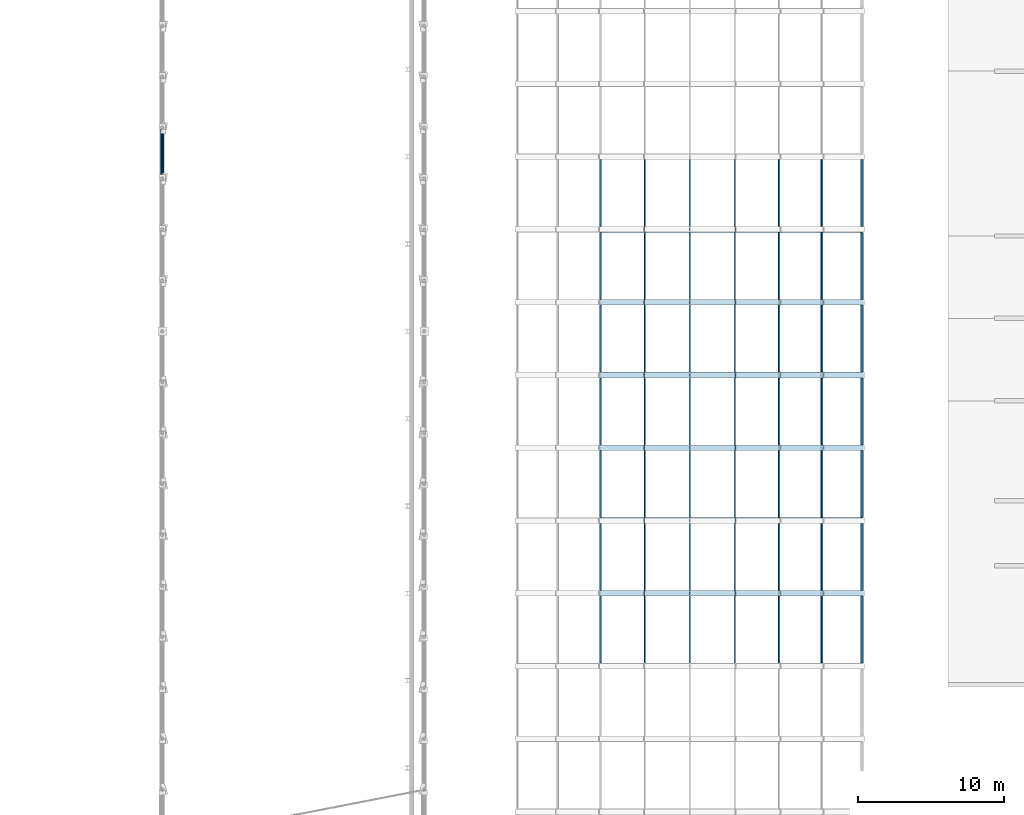
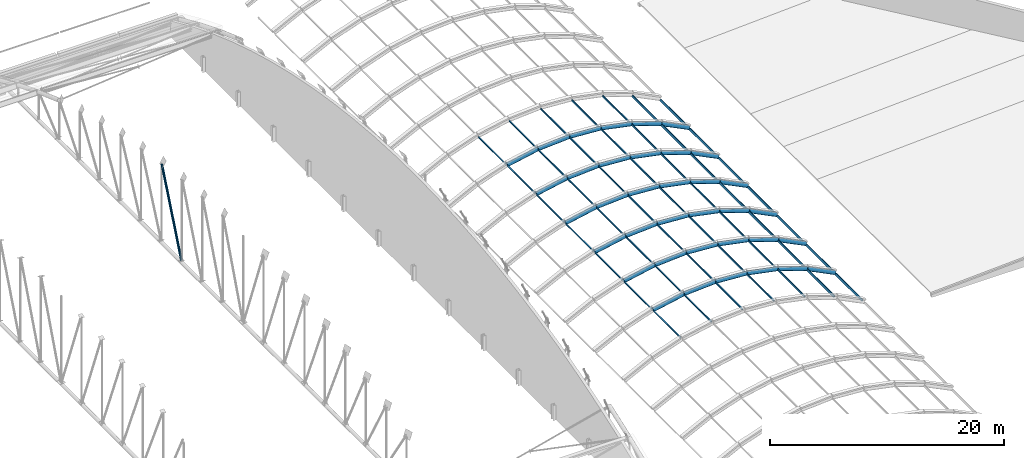
# One storey, part 86 of 196: 86 members.
"""IFC4 building model written with IfcOpenShell, lengths in metres."""

from ifc_helpers import new_model, si_unit, direction, frame, origin, origin_2d, place, context, subcontext, project, spatial, hollow_rectangle, hollow_circle, extrude, material, material_profile, profile_set, type_object, element, save


model = new_model("IFC4")

# Units and contexts
model_context = context("Model", 3, precision=1e-05, world=origin(), true_north=direction((0.0, 1.0)))
body_context = subcontext(model_context, "Body", "Model", "MODEL_VIEW")
ifc_project = project(units=[si_unit("LENGTHUNIT", "METRE"), si_unit("AREAUNIT", "SQUARE_METRE"), si_unit("VOLUMEUNIT", "CUBIC_METRE"), si_unit("PLANEANGLEUNIT", "RADIAN"), si_unit("MASSUNIT", "GRAM", prefix="KILO")], contexts=[model_context])

# Site, building, storey
site_placement = place(None, origin())
site = spatial("IfcSite", under=ifc_project, at=site_placement, CompositionType="ELEMENT")
building_placement = place(site_placement, origin())
building = spatial("IfcBuilding", under=site, at=building_placement, Name="Okhra Congress Centre", CompositionType="ELEMENT")
storey_placement = place(building_placement, frame((0.0, 0.0, 12.0)))
storey = spatial("IfcBuildingStorey", under=building, at=storey_placement, Name="L02", CompositionType="ELEMENT", Elevation=12.0)

# Members
ifc_material_1 = material(Name="Steel S355J2H", Category="steel")
ifc_material_profile_1 = material_profile(ifc_material_1, hollow_circle(Radius=0.109619140625, WallThickness=0.010009765625, at=origin_2d()), Name="CHS 219.1x10.0")
ifc_profile_set_1 = profile_set([ifc_material_profile_1], Name="Steel S355J2H")
member_type_1 = type_object("IfcMemberType", Name="CHS 219.1x10.0", PredefinedType="BRACE", material=ifc_profile_set_1)
member_placement = place(storey_placement, frame((136.0, 187.926513671875, 9.6240234375), z_axis=(0.0, -0.384613395842, -0.92307775173), x_axis=(1.0, 0.0, 0.0)))
element("IfcMember", 1, at=member_placement, inside=storey, type_object=member_type_1, Name="EH.MEM.L02.T7-DIA-15", PredefinedType="BRACE", context=body_context, shape_type="SweptSolid", body=[
    extrude(hollow_circle(Radius=0.109619140625, WallThickness=0.010009765625, at=origin_2d()), origin(), (0.0, 0.0, 1.0), 8.716552734375),
])
ifc_material_2 = material(Name="Steel S355J2", Category="steel")
ifc_material_profile_2 = material_profile(ifc_material_2, hollow_rectangle(XDim=0.10009765625, YDim=0.14990234375, WallThickness=0.00634765625, at=origin_2d()), Name="RHS 150x100x6.3")
ifc_profile_set_2 = profile_set([ifc_material_profile_2], Name="Steel S355J2")
member_type_2 = type_object("IfcMemberType", Name="Steel purlin RHS 150x100x6.3", PredefinedType="PURLIN", material=ifc_profile_set_2)
for number, where, z_axis, x_axis, name in (
    (2, (166.109619140625, 151.203125, 3.18505859375), (0.0, 1.0, 0.0), (-0.965379940391, 0.0, -0.260847792191), "Vault purlin 16.4"),
    (3, (169.15283203125, 151.203125, 3.79541015625), (0.0, 1.0, 0.0), (-0.991307202734, 0.0, -0.131567586459), "Vault purlin 16.5"),
    (4, (172.25, 151.203125, 4.0), (0.0, 1.0, 0.0), (-1.0, 0.0, 0.0), "Vault purlin 16.6"),
    (5, (175.34716796875, 151.203125, 3.79541015625), (0.0, 1.0, 0.0), (-0.991307202734, 0.0, 0.131567586459), "Vault purlin 16.7"),
    (6, (178.390380859375, 151.203125, 3.18505859375), (0.0, 1.0, 0.0), (-0.965379940391, 0.0, 0.260847792191), "Vault purlin 16.8"),
    (7, (166.109619140625, 156.203125, 3.18505859375), (0.0, 1.0, 0.0), (-0.965379940391, 0.0, -0.260847792191), "Vault purlin 17.4"),
    (8, (169.15283203125, 156.203125, 3.79541015625), (0.0, 1.0, 0.0), (-0.991307202734, 0.0, -0.131567586459), "Vault purlin 17.5"),
    (9, (172.25, 156.203125, 4.0), (0.0, 1.0, 0.0), (-1.0, 0.0, 0.0), "Vault purlin 17.6"),
    (10, (175.34716796875, 156.203125, 3.79541015625), (0.0, 1.0, 0.0), (-0.991307202734, 0.0, 0.131567586459), "Vault purlin 17.7"),
    (11, (178.390380859375, 156.203125, 3.18505859375), (0.0, 1.0, 0.0), (-0.965379940391, 0.0, 0.260847792191), "Vault purlin 17.8"),
    (12, (166.109619140625, 161.203125, 3.18505859375), (0.0, 1.0, 0.0), (-0.965379940391, 0.0, -0.260847792191), "Vault purlin 18.4"),
    (13, (169.15283203125, 161.203125, 3.79541015625), (0.0, 1.0, 0.0), (-0.991307202734, 0.0, -0.131567586459), "Vault purlin 18.5"),
    (14, (172.25, 161.203125, 4.0), (0.0, 1.0, 0.0), (-1.0, 0.0, 0.0), "Vault purlin 18.6"),
    (15, (175.34716796875, 161.203125, 3.79541015625), (0.0, 1.0, 0.0), (-0.991307202734, 0.0, 0.131567586459), "Vault purlin 18.7"),
    (16, (178.390380859375, 161.203125, 3.18505859375), (0.0, 1.0, 0.0), (-0.965379940391, 0.0, 0.260847792191), "Vault purlin 18.8"),
    (17, (166.109619140625, 166.203125, 3.18505859375), (0.0, 1.0, 0.0), (-0.965379940391, 0.0, -0.260847792191), "Vault purlin 19.4"),
    (18, (169.15283203125, 166.203125, 3.79541015625), (0.0, 1.0, 0.0), (-0.991307202734, 0.0, -0.131567586459), "Vault purlin 19.5"),
    (19, (172.25, 166.203125, 4.0), (0.0, 1.0, 0.0), (-1.0, 0.0, 0.0), "Vault purlin 19.6"),
    (20, (175.34716796875, 166.203125, 3.79541015625), (0.0, 1.0, 0.0), (-0.991307202734, 0.0, 0.131567586459), "Vault purlin 19.7"),
    (21, (178.390380859375, 166.203125, 3.18505859375), (0.0, 1.0, 0.0), (-0.965379940391, 0.0, 0.260847792191), "Vault purlin 19.8"),
    (22, (166.109619140625, 171.203125, 3.18505859375), (0.0, 1.0, 0.0), (-0.965379940391, 0.0, -0.260847792191), "Vault purlin 20.4"),
    (23, (169.15283203125, 171.203125, 3.79541015625), (0.0, 1.0, 0.0), (-0.991307202734, 0.0, -0.131567586459), "Vault purlin 20.5"),
    (24, (172.25, 171.203125, 4.0), (0.0, 1.0, 0.0), (-1.0, 0.0, 0.0), "Vault purlin 20.6"),
    (25, (175.34716796875, 171.203125, 3.79541015625), (0.0, 1.0, 0.0), (-0.991307202734, 0.0, 0.131567586459), "Vault purlin 20.7"),
    (26, (178.390380859375, 171.203125, 3.18505859375), (0.0, 1.0, 0.0), (-0.965379940391, 0.0, 0.260847792191), "Vault purlin 20.8"),
    (27, (166.109619140625, 176.203125, 3.18505859375), (0.0, 1.0, 0.0), (-0.965379940391, 0.0, -0.260847792191), "Vault purlin 21.4"),
    (28, (169.15283203125, 176.203125, 3.79541015625), (0.0, 1.0, 0.0), (-0.991307202734, 0.0, -0.131567586459), "Vault purlin 21.5"),
    (29, (172.25, 176.203125, 4.0), (0.0, 1.0, 0.0), (-1.0, 0.0, 0.0), "Vault purlin 21.6"),
    (30, (175.34716796875, 176.203125, 3.79541015625), (0.0, 1.0, 0.0), (-0.991307202734, 0.0, 0.131567586459), "Vault purlin 21.7"),
    (31, (178.390380859375, 176.203125, 3.18505859375), (0.0, 1.0, 0.0), (-0.965379940391, 0.0, 0.260847792191), "Vault purlin 21.8"),
    (32, (166.109619140625, 181.203125, 3.18505859375), (0.0, 1.0, 0.0), (-0.965379940391, 0.0, -0.260847792191), "Vault purlin 22.4"),
    (33, (169.15283203125, 181.203125, 3.79541015625), (0.0, 1.0, 0.0), (-0.991307202734, 0.0, -0.131567586459), "Vault purlin 22.5"),
    (34, (172.25, 181.203125, 4.0), (0.0, 1.0, 0.0), (-1.0, 0.0, 0.0), "Vault purlin 22.6"),
    (35, (175.34716796875, 181.203125, 3.79541015625), (0.0, 1.0, 0.0), (-0.991307202734, 0.0, 0.131567586459), "Vault purlin 22.7"),
    (36, (178.390380859375, 181.203125, 3.18505859375), (0.0, 1.0, 0.0), (-0.965379940391, 0.0, 0.260847792191), "Vault purlin 22.8"),
):
    element("IfcMember", number, at=place(storey_placement, frame(where, z_axis=z_axis, x_axis=x_axis)), inside=storey, type_object=member_type_2, Name=name, PredefinedType="PURLIN", context=body_context, shape_type="SweptSolid", body=[
        extrude(hollow_rectangle(XDim=0.10009765625, YDim=0.14990234375, WallThickness=0.00634765625, at=origin_2d()), origin(), (0.0, 0.0, 1.0), 4.59375),
    ])
ifc_material_profile_3 = material_profile(ifc_material_2, hollow_rectangle(XDim=0.10009765625, YDim=0.199951171875, WallThickness=0.008056640625, at=origin_2d()), Name="RHS 200x100x8")
ifc_profile_set_3 = profile_set([ifc_material_profile_3], Name="Steel S355J2")
member_type_3 = type_object("IfcMemberType", Name="Steel purlin RHS 200x100x8", PredefinedType="PURLIN", material=ifc_profile_set_3)
for number, where, z_axis, x_axis, name in (
    (37, (181.3173828125, 151.203125, 2.156494140625), (0.0, 1.0, 0.0), (-0.922668973833, 0.0, 0.38559300399), "Vault purlin 16.9"),
    (38, (184.093017578125, 151.203125, 0.77490234375), (0.0, 1.0, 0.0), (-0.86391685861, 0.0, 0.503634452167), "Vault purlin 16.10"),
    (39, (181.3173828125, 156.203125, 2.156494140625), (0.0, 1.0, 0.0), (-0.922668973833, 0.0, 0.38559300399), "Vault purlin 17.9"),
    (40, (184.093017578125, 156.203125, 0.77490234375), (0.0, 1.0, 0.0), (-0.86391685861, 0.0, 0.503634452167), "Vault purlin 17.10"),
    (41, (181.3173828125, 161.203125, 2.156494140625), (0.0, 1.0, 0.0), (-0.922668973833, 0.0, 0.38559300399), "Vault purlin 18.9"),
    (42, (184.093017578125, 161.203125, 0.77490234375), (0.0, 1.0, 0.0), (-0.86391685861, 0.0, 0.503634452167), "Vault purlin 18.10"),
    (43, (181.3173828125, 166.203125, 2.156494140625), (0.0, 1.0, 0.0), (-0.922668973833, 0.0, 0.38559300399), "Vault purlin 19.9"),
    (44, (184.093017578125, 166.203125, 0.77490234375), (0.0, 1.0, 0.0), (-0.86391685861, 0.0, 0.503634452167), "Vault purlin 19.10"),
    (45, (181.3173828125, 171.203125, 2.156494140625), (0.0, 1.0, 0.0), (-0.922668973833, 0.0, 0.38559300399), "Vault purlin 20.9"),
    (46, (184.093017578125, 171.203125, 0.77490234375), (0.0, 1.0, 0.0), (-0.86391685861, 0.0, 0.503634452167), "Vault purlin 20.10"),
    (47, (181.3173828125, 176.203125, 2.156494140625), (0.0, 1.0, 0.0), (-0.922668973833, 0.0, 0.38559300399), "Vault purlin 21.9"),
    (48, (184.093017578125, 176.203125, 0.77490234375), (0.0, 1.0, 0.0), (-0.86391685861, 0.0, 0.503634452167), "Vault purlin 21.10"),
    (49, (181.3173828125, 181.203125, 2.156494140625), (0.0, 1.0, 0.0), (-0.922668973833, 0.0, 0.38559300399), "Vault purlin 22.9"),
    (50, (184.093017578125, 181.203125, 0.77490234375), (0.0, 1.0, 0.0), (-0.86391685861, 0.0, 0.503634452167), "Vault purlin 22.10"),
):
    element("IfcMember", number, at=place(storey_placement, frame(where, z_axis=z_axis, x_axis=x_axis)), inside=storey, type_object=member_type_3, Name=name, PredefinedType="PURLIN", context=body_context, shape_type="SweptSolid", body=[
        extrude(hollow_rectangle(XDim=0.10009765625, YDim=0.199951171875, WallThickness=0.008056640625, at=origin_2d()), origin(), (0.0, 0.0, 1.0), 4.59375),
    ])
ifc_material_profile_4 = material_profile(ifc_material_2, hollow_circle(Radius=0.203125, WallThickness=0.01611328125, at=origin_2d()), Name="CHS 406.4x16")
ifc_profile_set_4 = profile_set([ifc_material_profile_4], Name="Steel S355J2")
member_type_4 = type_object("IfcMemberType", Name="Tubular steel arch rib CHS 406x16", PredefinedType="USERDEFINED", material=ifc_profile_set_4)
for number, where, z_axis, x_axis, name in (
    (51, (166.122802734375, 156.0, 3.187744140625), (0.980479837883, 0.0, 0.196619651879), (0.0, 1.0, 0.0), "Arch rib 17.5"),
    (52, (169.166259765625, 156.0, 3.796142578125), (0.997823956231, 0.0, 0.065934455123), (0.0, 1.0, 0.0), "Arch rib 17.6"),
    (53, (172.263427734375, 156.0, 3.9990234375), (0.997823956231, 0.0, -0.065934455123), (0.0, 1.0, 0.0), "Arch rib 17.7"),
    (54, (175.3603515625, 156.0, 3.792724609375), (0.980479837883, 0.0, -0.196619651879), (0.0, 1.0, 0.0), "Arch rib 17.8"),
):
    element("IfcMember", number, at=place(storey_placement, frame(where, z_axis=z_axis, x_axis=x_axis)), inside=storey, type_object=member_type_4, Name=name, ObjectType="Arch rib", PredefinedType="USERDEFINED", context=body_context, shape_type="SweptSolid", body=[
        extrude(hollow_circle(Radius=0.203125, WallThickness=0.01611328125, at=origin_2d()), origin(), (0.0, 0.0, 1.0), 3.076904296875),
    ])
for number, where, z_axis, x_axis, name in (
    (55, (178.4033203125, 156.0, 3.1806640625), (0.946089135599, 0.0, -0.323906386942), (0.0, 1.0, 0.0), "Arch rib 17.9"),
    (56, (181.339111328125, 156.0, 2.173583984375), (0.895219276519, 0.0, -0.44562590471), (0.0, 1.0, 0.0), "Arch rib 17.10"),
):
    element("IfcMember", number, at=place(storey_placement, frame(where, z_axis=z_axis, x_axis=x_axis)), inside=storey, type_object=member_type_4, Name=name, ObjectType="Arch rib", PredefinedType="USERDEFINED", context=body_context, shape_type="SweptSolid", body=[
        extrude(hollow_circle(Radius=0.203125, WallThickness=0.01611328125, at=origin_2d()), origin(), (0.0, 0.0, 1.0), 3.07666015625),
    ])
for number, where, z_axis, x_axis, name in (
    (57, (166.122802734375, 161.0, 3.187744140625), (0.980479837883, 0.0, 0.196619651879), (0.0, 1.0, 0.0), "Arch rib 18.5"),
    (58, (169.166259765625, 161.0, 3.796142578125), (0.997823956231, 0.0, 0.065934455123), (0.0, 1.0, 0.0), "Arch rib 18.6"),
    (59, (172.263427734375, 161.0, 3.9990234375), (0.997823956231, 0.0, -0.065934455123), (0.0, 1.0, 0.0), "Arch rib 18.7"),
    (60, (175.3603515625, 161.0, 3.792724609375), (0.980479837883, 0.0, -0.196619651879), (0.0, 1.0, 0.0), "Arch rib 18.8"),
):
    element("IfcMember", number, at=place(storey_placement, frame(where, z_axis=z_axis, x_axis=x_axis)), inside=storey, type_object=member_type_4, Name=name, ObjectType="Arch rib", PredefinedType="USERDEFINED", context=body_context, shape_type="SweptSolid", body=[
        extrude(hollow_circle(Radius=0.203125, WallThickness=0.01611328125, at=origin_2d()), origin(), (0.0, 0.0, 1.0), 3.076904296875),
    ])
for number, where, z_axis, x_axis, name in (
    (61, (178.4033203125, 161.0, 3.1806640625), (0.946089135599, 0.0, -0.323906386942), (0.0, 1.0, 0.0), "Arch rib 18.9"),
    (62, (181.339111328125, 161.0, 2.173583984375), (0.895219276519, 0.0, -0.44562590471), (0.0, 1.0, 0.0), "Arch rib 18.10"),
):
    element("IfcMember", number, at=place(storey_placement, frame(where, z_axis=z_axis, x_axis=x_axis)), inside=storey, type_object=member_type_4, Name=name, ObjectType="Arch rib", PredefinedType="USERDEFINED", context=body_context, shape_type="SweptSolid", body=[
        extrude(hollow_circle(Radius=0.203125, WallThickness=0.01611328125, at=origin_2d()), origin(), (0.0, 0.0, 1.0), 3.07666015625),
    ])
for number, where, z_axis, x_axis, name in (
    (63, (166.122802734375, 166.0, 3.187744140625), (0.980479837883, 0.0, 0.196619651879), (0.0, 1.0, 0.0), "Arch rib 19.5"),
    (64, (169.166259765625, 166.0, 3.796142578125), (0.997823956231, 0.0, 0.065934455123), (0.0, 1.0, 0.0), "Arch rib 19.6"),
    (65, (172.263427734375, 166.0, 3.9990234375), (0.997823956231, 0.0, -0.065934455123), (0.0, 1.0, 0.0), "Arch rib 19.7"),
    (66, (175.3603515625, 166.0, 3.792724609375), (0.980479837883, 0.0, -0.196619651879), (0.0, 1.0, 0.0), "Arch rib 19.8"),
):
    element("IfcMember", number, at=place(storey_placement, frame(where, z_axis=z_axis, x_axis=x_axis)), inside=storey, type_object=member_type_4, Name=name, ObjectType="Arch rib", PredefinedType="USERDEFINED", context=body_context, shape_type="SweptSolid", body=[
        extrude(hollow_circle(Radius=0.203125, WallThickness=0.01611328125, at=origin_2d()), origin(), (0.0, 0.0, 1.0), 3.076904296875),
    ])
for number, where, z_axis, x_axis, name in (
    (67, (178.4033203125, 166.0, 3.1806640625), (0.946089135599, 0.0, -0.323906386942), (0.0, 1.0, 0.0), "Arch rib 19.9"),
    (68, (181.339111328125, 166.0, 2.173583984375), (0.895219276519, 0.0, -0.44562590471), (0.0, 1.0, 0.0), "Arch rib 19.10"),
):
    element("IfcMember", number, at=place(storey_placement, frame(where, z_axis=z_axis, x_axis=x_axis)), inside=storey, type_object=member_type_4, Name=name, ObjectType="Arch rib", PredefinedType="USERDEFINED", context=body_context, shape_type="SweptSolid", body=[
        extrude(hollow_circle(Radius=0.203125, WallThickness=0.01611328125, at=origin_2d()), origin(), (0.0, 0.0, 1.0), 3.07666015625),
    ])
for number, where, z_axis, x_axis, name in (
    (69, (166.122802734375, 171.0, 3.187744140625), (0.980479837883, 0.0, 0.196619651879), (0.0, 1.0, 0.0), "Arch rib 20.5"),
    (70, (169.166259765625, 171.0, 3.796142578125), (0.997823956231, 0.0, 0.065934455123), (0.0, 1.0, 0.0), "Arch rib 20.6"),
    (71, (172.263427734375, 171.0, 3.9990234375), (0.997823956231, 0.0, -0.065934455123), (0.0, 1.0, 0.0), "Arch rib 20.7"),
    (72, (175.3603515625, 171.0, 3.792724609375), (0.980479837883, 0.0, -0.196619651879), (0.0, 1.0, 0.0), "Arch rib 20.8"),
):
    element("IfcMember", number, at=place(storey_placement, frame(where, z_axis=z_axis, x_axis=x_axis)), inside=storey, type_object=member_type_4, Name=name, ObjectType="Arch rib", PredefinedType="USERDEFINED", context=body_context, shape_type="SweptSolid", body=[
        extrude(hollow_circle(Radius=0.203125, WallThickness=0.01611328125, at=origin_2d()), origin(), (0.0, 0.0, 1.0), 3.076904296875),
    ])
for number, where, z_axis, x_axis, name in (
    (73, (178.4033203125, 171.0, 3.1806640625), (0.946089135599, 0.0, -0.323906386942), (0.0, 1.0, 0.0), "Arch rib 20.9"),
    (74, (181.339111328125, 171.0, 2.173583984375), (0.895219276519, 0.0, -0.44562590471), (0.0, 1.0, 0.0), "Arch rib 20.10"),
):
    element("IfcMember", number, at=place(storey_placement, frame(where, z_axis=z_axis, x_axis=x_axis)), inside=storey, type_object=member_type_4, Name=name, ObjectType="Arch rib", PredefinedType="USERDEFINED", context=body_context, shape_type="SweptSolid", body=[
        extrude(hollow_circle(Radius=0.203125, WallThickness=0.01611328125, at=origin_2d()), origin(), (0.0, 0.0, 1.0), 3.07666015625),
    ])
for number, where, z_axis, x_axis, name in (
    (75, (166.122802734375, 176.0, 3.187744140625), (0.980479837883, 0.0, 0.196619651879), (0.0, 1.0, 0.0), "Arch rib 21.5"),
    (76, (169.166259765625, 176.0, 3.796142578125), (0.997823956231, 0.0, 0.065934455123), (0.0, 1.0, 0.0), "Arch rib 21.6"),
    (77, (172.263427734375, 176.0, 3.9990234375), (0.997823956231, 0.0, -0.065934455123), (0.0, 1.0, 0.0), "Arch rib 21.7"),
    (78, (175.3603515625, 176.0, 3.792724609375), (0.980479837883, 0.0, -0.196619651879), (0.0, 1.0, 0.0), "Arch rib 21.8"),
):
    element("IfcMember", number, at=place(storey_placement, frame(where, z_axis=z_axis, x_axis=x_axis)), inside=storey, type_object=member_type_4, Name=name, ObjectType="Arch rib", PredefinedType="USERDEFINED", context=body_context, shape_type="SweptSolid", body=[
        extrude(hollow_circle(Radius=0.203125, WallThickness=0.01611328125, at=origin_2d()), origin(), (0.0, 0.0, 1.0), 3.076904296875),
    ])
for number, where, z_axis, x_axis, name in (
    (79, (178.4033203125, 176.0, 3.1806640625), (0.946089135599, 0.0, -0.323906386942), (0.0, 1.0, 0.0), "Arch rib 21.9"),
    (80, (181.339111328125, 176.0, 2.173583984375), (0.895219276519, 0.0, -0.44562590471), (0.0, 1.0, 0.0), "Arch rib 21.10"),
):
    element("IfcMember", number, at=place(storey_placement, frame(where, z_axis=z_axis, x_axis=x_axis)), inside=storey, type_object=member_type_4, Name=name, ObjectType="Arch rib", PredefinedType="USERDEFINED", context=body_context, shape_type="SweptSolid", body=[
        extrude(hollow_circle(Radius=0.203125, WallThickness=0.01611328125, at=origin_2d()), origin(), (0.0, 0.0, 1.0), 3.07666015625),
    ])
for number, where, z_axis, x_axis, name in (
    (81, (166.122802734375, 181.0, 3.187744140625), (0.980479837883, 0.0, 0.196619651879), (0.0, 1.0, 0.0), "Arch rib 22.5"),
    (82, (169.166259765625, 181.0, 3.796142578125), (0.997823956231, 0.0, 0.065934455123), (0.0, 1.0, 0.0), "Arch rib 22.6"),
    (83, (172.263427734375, 181.0, 3.9990234375), (0.997823956231, 0.0, -0.065934455123), (0.0, 1.0, 0.0), "Arch rib 22.7"),
    (84, (175.3603515625, 181.0, 3.792724609375), (0.980479837883, 0.0, -0.196619651879), (0.0, 1.0, 0.0), "Arch rib 22.8"),
):
    element("IfcMember", number, at=place(storey_placement, frame(where, z_axis=z_axis, x_axis=x_axis)), inside=storey, type_object=member_type_4, Name=name, ObjectType="Arch rib", PredefinedType="USERDEFINED", context=body_context, shape_type="SweptSolid", body=[
        extrude(hollow_circle(Radius=0.203125, WallThickness=0.01611328125, at=origin_2d()), origin(), (0.0, 0.0, 1.0), 3.076904296875),
    ])
for number, where, z_axis, x_axis, name in (
    (85, (178.4033203125, 181.0, 3.1806640625), (0.946089135599, 0.0, -0.323906386942), (0.0, 1.0, 0.0), "Arch rib 22.9"),
    (86, (181.339111328125, 181.0, 2.173583984375), (0.895219276519, 0.0, -0.44562590471), (0.0, 1.0, 0.0), "Arch rib 22.10"),
):
    element("IfcMember", number, at=place(storey_placement, frame(where, z_axis=z_axis, x_axis=x_axis)), inside=storey, type_object=member_type_4, Name=name, ObjectType="Arch rib", PredefinedType="USERDEFINED", context=body_context, shape_type="SweptSolid", body=[
        extrude(hollow_circle(Radius=0.203125, WallThickness=0.01611328125, at=origin_2d()), origin(), (0.0, 0.0, 1.0), 3.07666015625),
    ])

save(model, "model.ifc")
